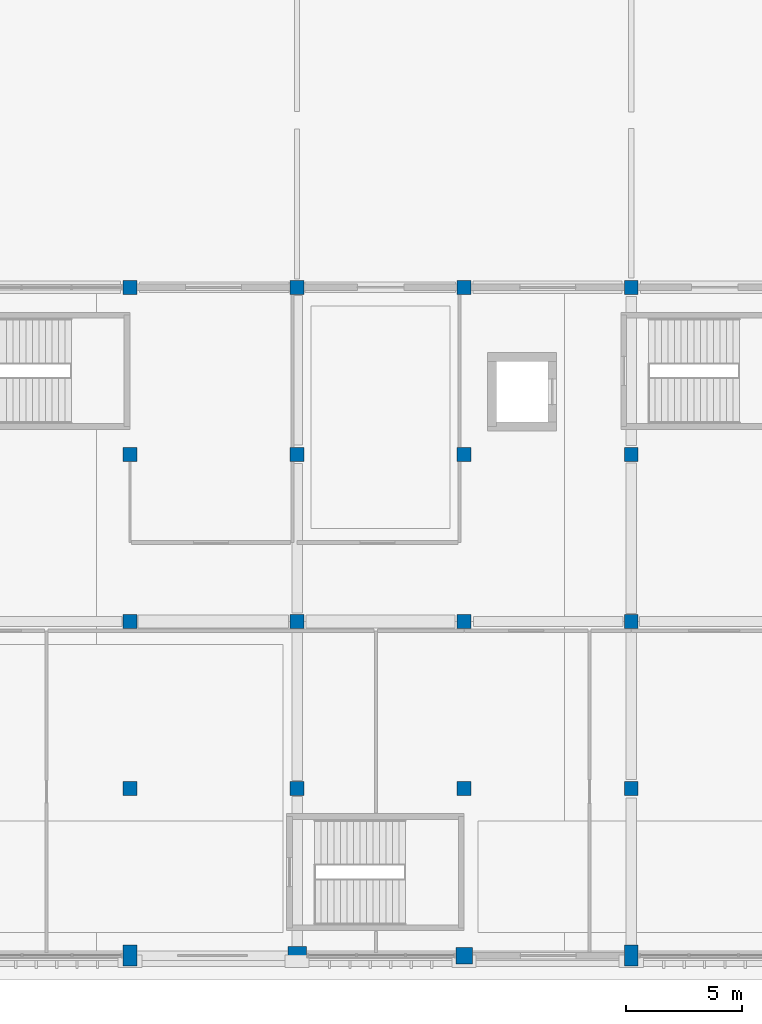
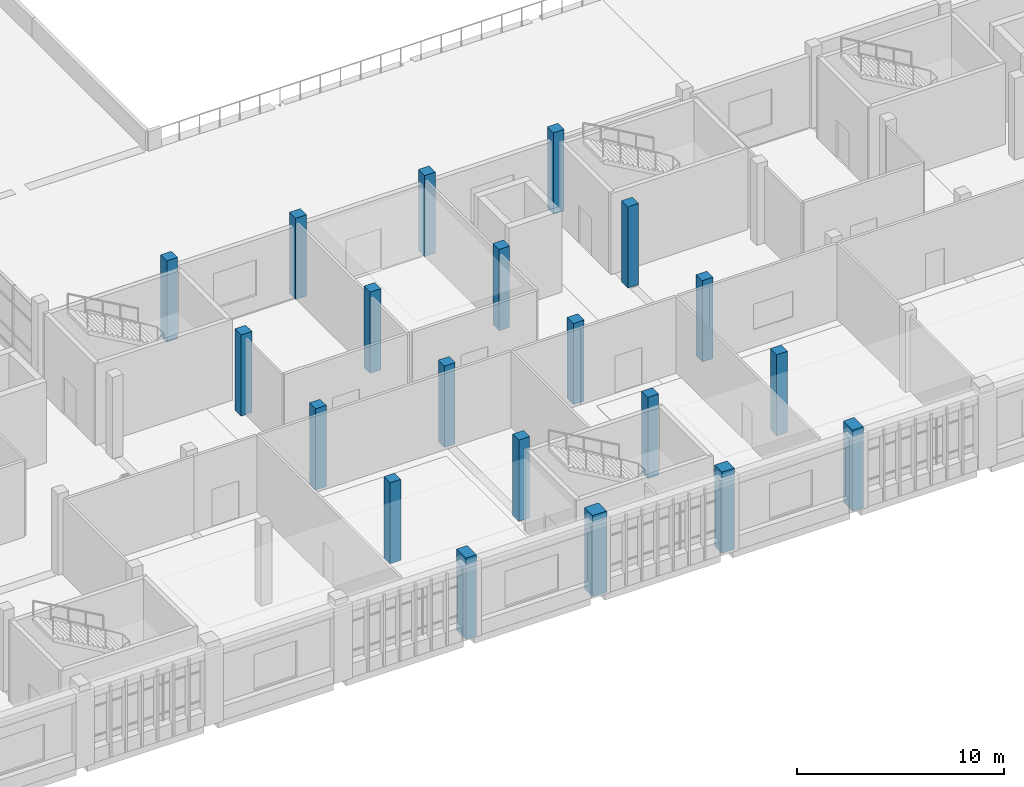
# One storey, part 2 of 82: 20 columns.
"""IFC4 building model written with IfcOpenShell, lengths in metres."""

from ifc_helpers import new_model, si_unit, direction, frame, origin, origin_2d, place, context, subcontext, project, spatial, rectangle, extrude, material, material_profile, profile_set, type_object, element, save


model = new_model("IFC4")

# Units and contexts
model_context = context("Model", 3, precision=1e-05, world=origin(), true_north=direction((0.0, 1.0)))
body_context = subcontext(model_context, "Body", "Model", "MODEL_VIEW")
ifc_project = project(units=[si_unit("LENGTHUNIT", "METRE"), si_unit("AREAUNIT", "SQUARE_METRE"), si_unit("VOLUMEUNIT", "CUBIC_METRE"), si_unit("PLANEANGLEUNIT", "RADIAN"), si_unit("MASSUNIT", "GRAM", prefix="KILO")], contexts=[model_context])

# Site, building, storey
site_placement = place(None, origin())
site = spatial("IfcSite", under=ifc_project, at=site_placement, CompositionType="ELEMENT")
building_placement = place(site_placement, origin())
building = spatial("IfcBuilding", under=site, at=building_placement, Name="Sardonyx Promenade Sports Hall", CompositionType="ELEMENT")
storey_placement = place(building_placement, frame((0.0, 0.0, 11.199951171875)))
storey = spatial("IfcBuildingStorey", under=building, at=storey_placement, Name="L02", CompositionType="ELEMENT", Elevation=11.199951171875)

# Columns
ifc_material_1 = material(Name="Concrete C40/50", Category="concrete")
ifc_material_profile_1 = material_profile(ifc_material_1, rectangle(XDim=0.60009765625, YDim=0.60009765625, at=origin_2d()))
ifc_profile_set_1 = profile_set([ifc_material_profile_1], Name="Concrete C40/50")
column_type_1 = type_object("IfcColumnType", Name="Col_Ext_RC600", PredefinedType="COLUMN", material=ifc_profile_set_1)
for number, where, z_axis, x_axis, name in (
    (1, (36.0, 28.800048828125, 0.0), (0.0, 0.0, 1.0), (1.0, 0.0, 0.0), "Column CE11 L02 (36.0,28.8)"),
    (2, (43.199951171875, 28.800048828125, 0.0), (0.0, 0.0, 1.0), (1.0, 0.0, 0.0), "Column CE11 L02 (43.2,28.8)"),
    (3, (50.39990234375, 28.800048828125, 0.0), (0.0, 0.0, 1.0), (1.0, 0.0, 0.0), "Column CE11 L02 (50.4,28.8)"),
    (4, (57.60009765625, 28.800048828125, 0.0), (0.0, 0.0, 1.0), (1.0, 0.0, 0.0), "Column CE11 L02 (57.6,28.8)"),
):
    element("IfcColumn", number, at=place(storey_placement, frame(where, z_axis=z_axis, x_axis=x_axis)), inside=storey, type_object=column_type_1, Name=name, PredefinedType="COLUMN", context=body_context, shape_type="SweptSolid", body=[
        extrude(rectangle(XDim=0.60009765625, YDim=0.60009765625, at=origin_2d()), origin(), (0.0, 0.0, 1.0), 4.800048828125),
    ])
ifc_material_2 = material(Name="Concrete C40/50", Category="concrete")
ifc_material_profile_2 = material_profile(ifc_material_2, rectangle(XDim=0.60009765625, YDim=0.89990234375, at=origin_2d()))
ifc_profile_set_2 = profile_set([ifc_material_profile_2], Name="Concrete C40/50")
column_type_2 = type_object("IfcColumnType", Name="Col_Ext_RC600x900", PredefinedType="COLUMN", material=ifc_profile_set_2)
for number, where, z_axis, x_axis, name in (
    (5, (36.0, 0.0, 0.0), (0.0, 0.0, 1.0), (1.0, 0.0, 0.0), "Column CE12 L02 (36.0,0.0)"),
    (6, (57.60009765625, 0.0, 0.0), (0.0, 0.0, 1.0), (1.0, 0.0, 0.0), "Column CE12 L02 (57.6,0.0)"),
):
    element("IfcColumn", number, at=place(storey_placement, frame(where, z_axis=z_axis, x_axis=x_axis)), inside=storey, type_object=column_type_2, Name=name, PredefinedType="COLUMN", context=body_context, shape_type="SweptSolid", body=[
        extrude(rectangle(XDim=0.60009765625, YDim=0.89990234375, at=origin_2d()), origin(), (0.0, 0.0, 1.0), 4.800048828125),
    ])
ifc_material_3 = material(Name="Concrete C40/50", Category="concrete")
ifc_material_profile_3 = material_profile(ifc_material_3, rectangle(XDim=0.699951171875, YDim=0.699951171875, at=origin_2d()))
ifc_profile_set_3 = profile_set([ifc_material_profile_3], Name="Concrete C40/50")
column_type_3 = type_object("IfcColumnType", Name="Col_Ext_RC700", PredefinedType="COLUMN", material=ifc_profile_set_3)
column_1_placement = place(storey_placement, frame((50.39990234375, 0.0, 0.0), z_axis=(0.0, 0.0, 1.0), x_axis=(1.0, 0.0, 0.0)))
element("IfcColumn", 7, at=column_1_placement, inside=storey, type_object=column_type_3, Name="Column CE05 L02 (50.4,0.0)", PredefinedType="COLUMN", context=body_context, shape_type="SweptSolid", body=[
    extrude(rectangle(XDim=0.699951171875, YDim=0.699951171875, at=origin_2d()), origin(), (0.0, 0.0, 1.0), 4.800048828125),
])
ifc_material_4 = material(Name="Concrete C50/60", Category="concrete")
ifc_material_profile_4 = material_profile(ifc_material_4, rectangle(XDim=0.800048828125, YDim=0.800048828125, at=origin_2d()))
ifc_profile_set_4 = profile_set([ifc_material_profile_4], Name="Concrete C50/60")
column_type_4 = type_object("IfcColumnType", Name="Col_Ext_RC800", PredefinedType="COLUMN", material=ifc_profile_set_4)
column_2_placement = place(storey_placement, frame((43.199951171875, 0.0, 0.0), z_axis=(0.0, 0.0, 1.0), x_axis=(1.0, 0.0, 0.0)))
element("IfcColumn", 8, at=column_2_placement, inside=storey, type_object=column_type_4, Name="Column CE13 L02 (43.2,0.0)", PredefinedType="COLUMN", context=body_context, shape_type="SweptSolid", body=[
    extrude(rectangle(XDim=0.800048828125, YDim=0.800048828125, at=origin_2d()), origin(), (0.0, 0.0, 1.0), 4.800048828125),
])
ifc_material_5 = material(Name="Concrete C40/50", Category="concrete")
ifc_material_profile_5 = material_profile(ifc_material_5, rectangle(XDim=0.60009765625, YDim=0.60009765625, at=origin_2d()))
ifc_profile_set_5 = profile_set([ifc_material_profile_5], Name="Concrete C40/50")
column_type_5 = type_object("IfcColumnType", Name="Col_Int_RC600", PredefinedType="COLUMN", material=ifc_profile_set_5)
for number, where, z_axis, x_axis, name in (
    (9, (36.0, 7.199951171875, 0.0), (0.0, 0.0, 1.0), (1.0, 0.0, 0.0), "Column CI02 L02 (36.0,7.2)"),
    (10, (36.0, 14.39990234375, 0.0), (0.0, 0.0, 1.0), (1.0, 0.0, 0.0), "Column CI02 L02 (36.0,14.4)"),
    (11, (36.0, 21.60009765625, 0.0), (0.0, 0.0, 1.0), (1.0, 0.0, 0.0), "Column CI02 L02 (36.0,21.6)"),
    (12, (43.199951171875, 7.199951171875, 0.0), (0.0, 0.0, 1.0), (1.0, 0.0, 0.0), "Column CI02 L02 (43.2,7.2)"),
    (13, (43.199951171875, 14.39990234375, 0.0), (0.0, 0.0, 1.0), (1.0, 0.0, 0.0), "Column CI02 L02 (43.2,14.4)"),
    (14, (43.199951171875, 21.60009765625, 0.0), (0.0, 0.0, 1.0), (1.0, 0.0, 0.0), "Column CI02 L02 (43.2,21.6)"),
    (15, (50.39990234375, 7.199951171875, 0.0), (0.0, 0.0, 1.0), (1.0, 0.0, 0.0), "Column CI02 L02 (50.4,7.2)"),
    (16, (50.39990234375, 14.39990234375, 0.0), (0.0, 0.0, 1.0), (1.0, 0.0, 0.0), "Column CI02 L02 (50.4,14.4)"),
    (17, (50.39990234375, 21.60009765625, 0.0), (0.0, 0.0, 1.0), (1.0, 0.0, 0.0), "Column CI02 L02 (50.4,21.6)"),
    (18, (57.60009765625, 7.199951171875, 0.0), (0.0, 0.0, 1.0), (1.0, 0.0, 0.0), "Column CI02 L02 (57.6,7.2)"),
    (19, (57.60009765625, 14.39990234375, 0.0), (0.0, 0.0, 1.0), (1.0, 0.0, 0.0), "Column CI02 L02 (57.6,14.4)"),
    (20, (57.60009765625, 21.60009765625, 0.0), (0.0, 0.0, 1.0), (1.0, 0.0, 0.0), "Column CI02 L02 (57.6,21.6)"),
):
    element("IfcColumn", number, at=place(storey_placement, frame(where, z_axis=z_axis, x_axis=x_axis)), inside=storey, type_object=column_type_5, Name=name, PredefinedType="COLUMN", context=body_context, shape_type="SweptSolid", body=[
        extrude(rectangle(XDim=0.60009765625, YDim=0.60009765625, at=origin_2d()), origin(), (0.0, 0.0, 1.0), 4.800048828125),
    ])

save(model, "model.ifc")
